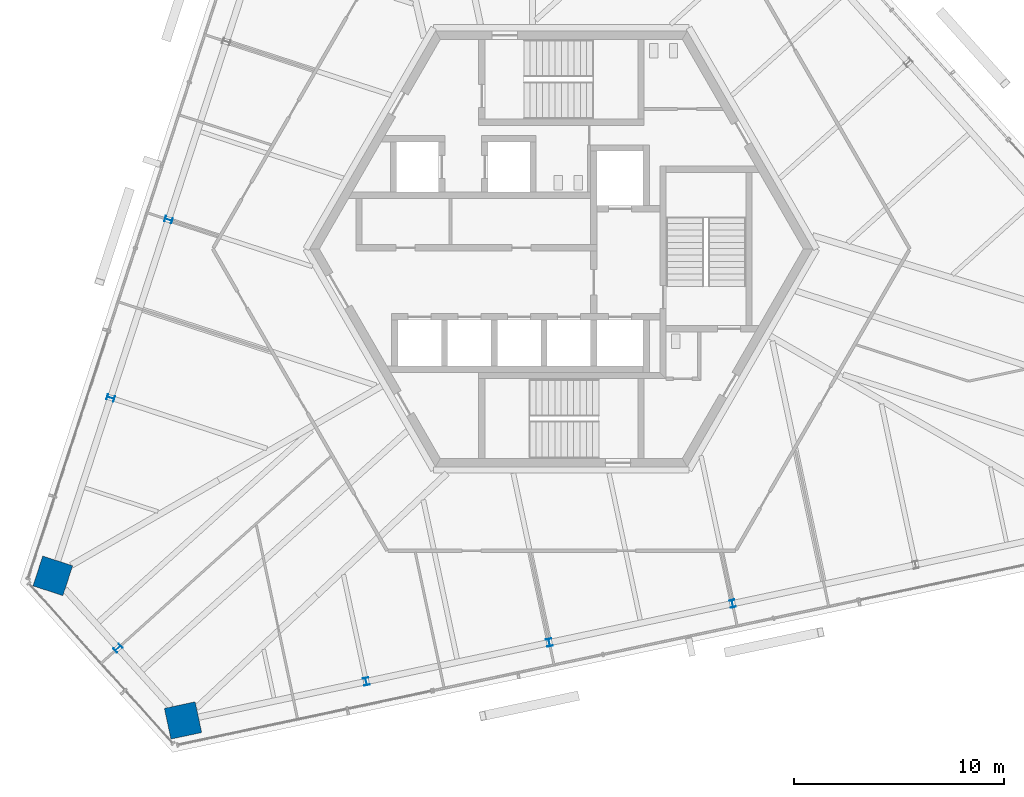
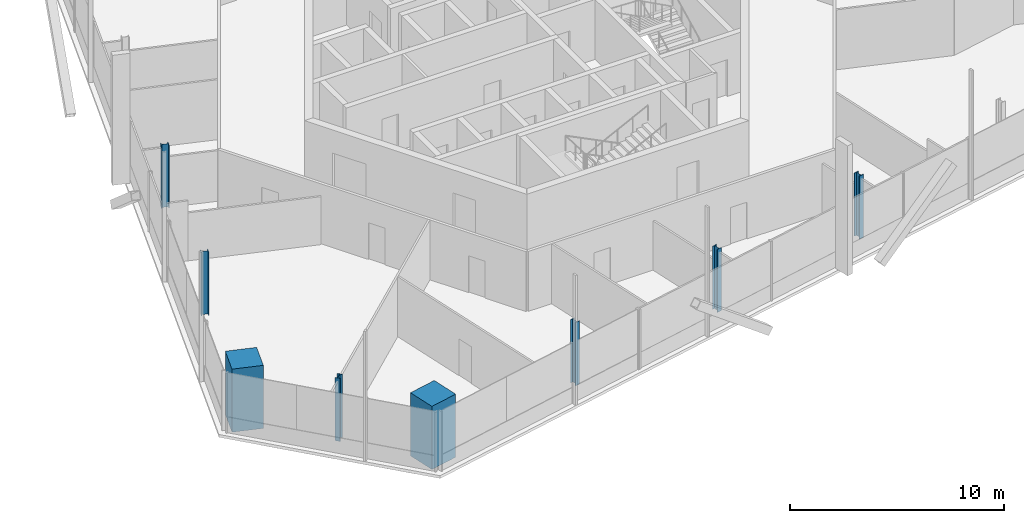
# One storey, part 1 of 17: 8 columns.
"""IFC4 building model written with IfcOpenShell, lengths in metres."""

from ifc_helpers import new_model, si_unit, direction, frame, origin, origin_2d, place, context, subcontext, project, spatial, rectangle, i_section, extrude, source, transform, mapped, material, material_profile, profile_set, type_object, element, save


model = new_model("IFC4")

# Units and contexts
model_context = context("Model", 3, precision=1e-05, world=origin(), true_north=direction((0.0, 1.0)))
body_context = subcontext(model_context, "Body", "Model", "MODEL_VIEW")
ifc_project = project(units=[si_unit("LENGTHUNIT", "METRE"), si_unit("AREAUNIT", "SQUARE_METRE"), si_unit("VOLUMEUNIT", "CUBIC_METRE"), si_unit("PLANEANGLEUNIT", "RADIAN"), si_unit("MASSUNIT", "GRAM", prefix="KILO")], contexts=[model_context])

# Site, building, storey
site_placement = place(None, origin())
site = spatial("IfcSite", under=ifc_project, at=site_placement, CompositionType="ELEMENT")
building_placement = place(site_placement, origin())
building = spatial("IfcBuilding", under=site, at=building_placement, Name="Triune Harvest Tower", CompositionType="ELEMENT")
storey_placement = place(building_placement, frame((0.0, 0.0, 281.10009765625)))
storey = spatial("IfcBuildingStorey", under=building, at=storey_placement, Name="L74", CompositionType="ELEMENT", Elevation=281.10009765625)

# Columns
ifc_material_1 = material(Name="Concrete 70 MPa", Category="concrete")
ifc_material_profile_1 = material_profile(ifc_material_1, rectangle(XDim=1.5, YDim=1.5, at=origin_2d()), Name="Composite 1500x1500")
ifc_profile_set_1 = profile_set([ifc_material_profile_1], Name="Concrete 70 MPa")
column_type_1 = type_object("IfcColumnType", Name="MC-7 Mega column Composite 1500x1500", PredefinedType="COLUMN", material=ifc_profile_set_1)
shared_shape_1 = source(origin(), body_context, "Body", "SweptSolid", [
    extrude(rectangle(XDim=1.5, YDim=1.5, at=origin_2d()), origin(), (0.0, 0.0, 1.0), 3.599853515625),
])
for number, where, z_axis, x_axis, name in (
    (1, (-24.24853515625, -15.58984375, 0.0), (0.0, 0.0, 1.0), (-0.309015334468, -0.95105705563, 0.0), "col/L74/M12"),
    (2, (-18.0390625, -22.486083984375, 0.0), (0.0, 0.0, 1.0), (0.978147237858, 0.207913398007, 0.0), "col/L74/M14"),
):
    element("IfcColumn", number, at=place(storey_placement, frame(where, z_axis=z_axis, x_axis=x_axis)), inside=storey, type_object=column_type_1, Name=name, PredefinedType="COLUMN", context=body_context, shape_type="MappedRepresentation", body=[
        mapped(shared_shape_1, transform((0.0, 0.0, 0.0), scale=1.0)),
    ])
ifc_material_2 = material(Name="Steel ASTM A992 Gr 50", Category="steel")
ifc_material_profile_2 = material_profile(ifc_material_2, i_section(OverallWidth=0.256591796875, OverallDepth=0.360595703125, WebThickness=0.011474609375, FlangeThickness=0.02001953125, at=origin_2d()), Name="W14x74")
ifc_profile_set_2 = profile_set([ifc_material_profile_2], Name="Steel ASTM A992 Gr 50")
column_type_2 = type_object("IfcColumnType", Name="PC-7 Perimeter column W14x74", PredefinedType="COLUMN", material=ifc_profile_set_2)
shared_shape_2 = source(origin(), body_context, "Body", "SweptSolid", [
    extrude(i_section(OverallWidth=0.256591796875, OverallDepth=0.360595703125, WebThickness=0.011474609375, FlangeThickness=0.02001953125, at=origin_2d()), origin(), (0.0, 0.0, 1.0), 3.599853515625),
])
for number, where, z_axis, x_axis, name in (
    (3, (-18.730712890625, 1.392333984375, 0.0), (0.0, 0.0, 1.0), (-0.309015334468, -0.95105705563, 0.0), "col/L74/P10"),
    (4, (-21.48974609375, -7.098876953125, 0.0), (0.0, 0.0, 1.0), (-0.309015334468, -0.95105705563, 0.0), "col/L74/P11"),
    (5, (-21.143798828125, -19.0380859375, 0.0), (0.0, 0.0, 1.0), (0.669129309325, -0.743145993329, 0.0), "col/L74/P13"),
    (6, (-9.30615234375, -20.6298828125, 0.0), (0.0, 0.0, 1.0), (0.978147237858, 0.207913398007, 0.0), "col/L74/P15"),
    (7, (-0.5732421875, -18.773681640625, 0.0), (0.0, 0.0, 1.0), (0.978147237858, 0.207913398007, 0.0), "col/L74/P16"),
    (8, (8.15966796875, -16.91748046875, 0.0), (0.0, 0.0, 1.0), (0.978147237858, 0.207913398007, 0.0), "col/L74/P17"),
):
    element("IfcColumn", number, at=place(storey_placement, frame(where, z_axis=z_axis, x_axis=x_axis)), inside=storey, type_object=column_type_2, Name=name, PredefinedType="COLUMN", context=body_context, shape_type="MappedRepresentation", body=[
        mapped(shared_shape_2, transform((0.0, 0.0, 0.0), scale=1.0)),
    ])

save(model, "model.ifc")
